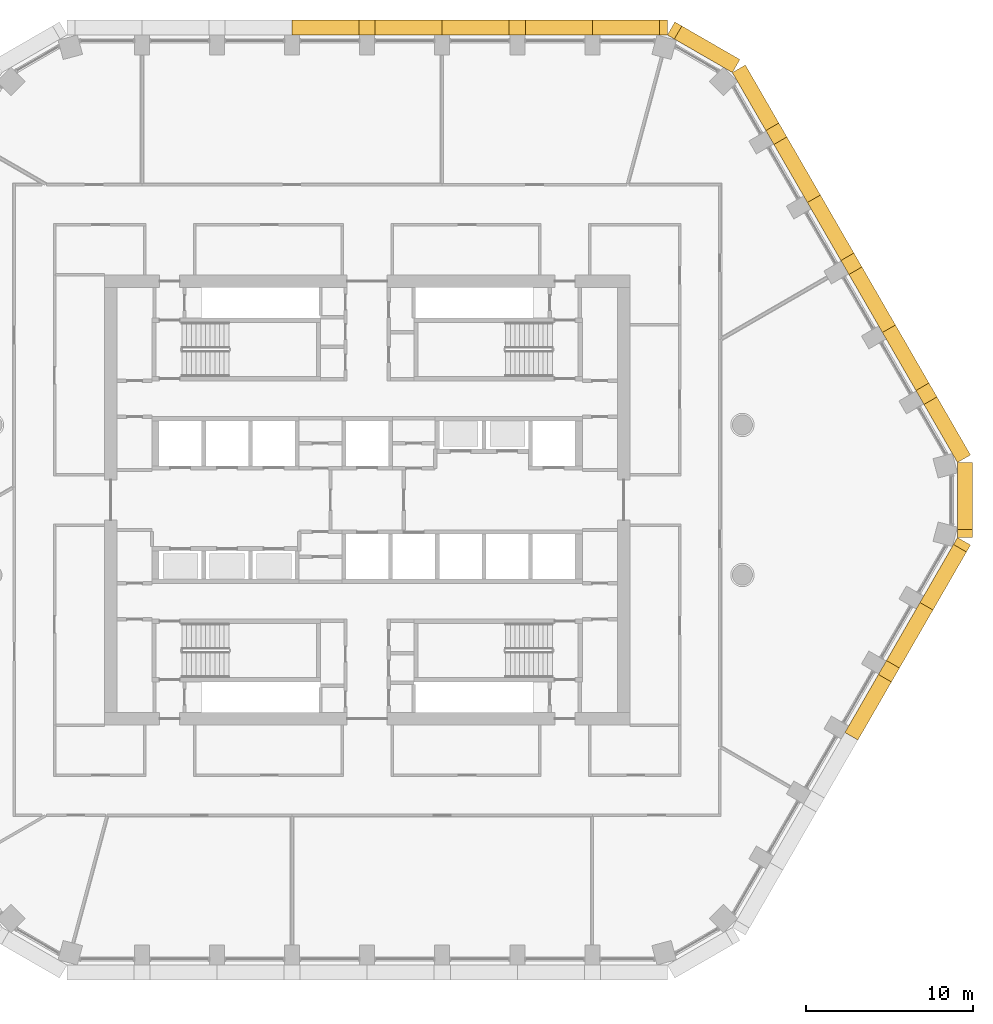
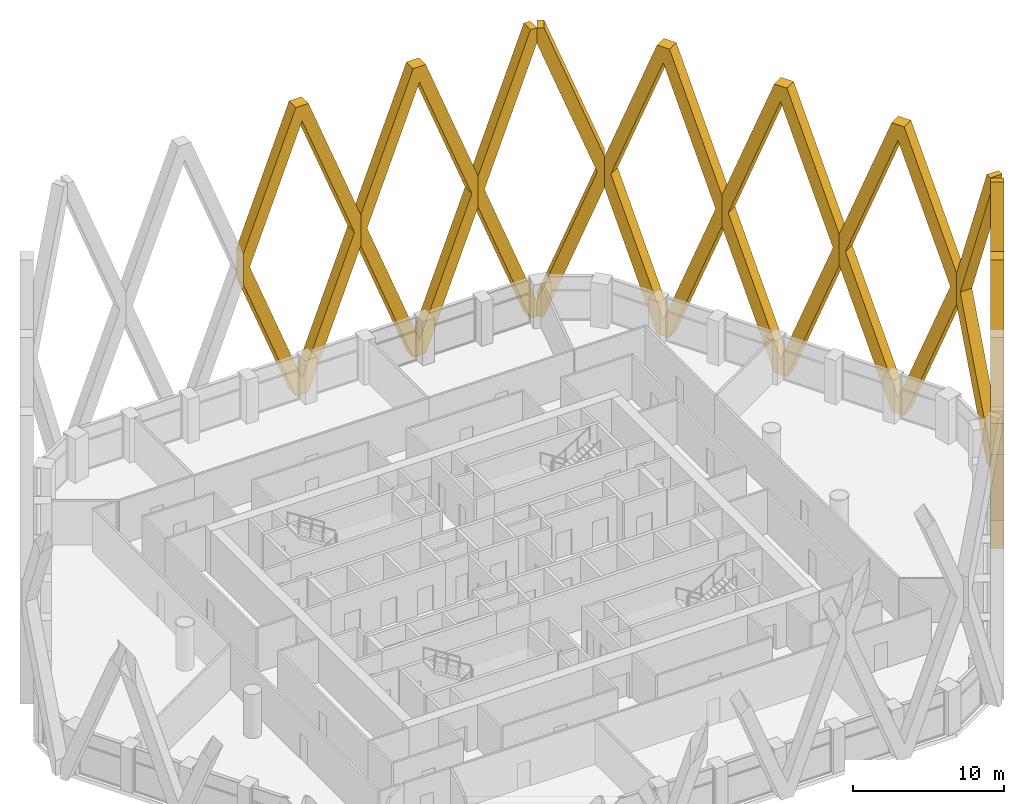
# One storey, part 23 of 24: 10 coverings.
"""IFC4 building model written with IfcOpenShell, lengths in metres."""

from ifc_helpers import new_model, si_unit, direction, frame, origin, place, context, subcontext, project, spatial, polyline, outline, extrude, material, type_object, element, save


model = new_model("IFC4")

# Units and contexts
model_context = context("Model", 3, precision=1e-05, world=origin(), true_north=direction((0.0, 1.0)))
body_context = subcontext(model_context, "Body", "Model", "MODEL_VIEW")
ifc_project = project(units=[si_unit("LENGTHUNIT", "METRE"), si_unit("AREAUNIT", "SQUARE_METRE"), si_unit("VOLUMEUNIT", "CUBIC_METRE"), si_unit("PLANEANGLEUNIT", "RADIAN"), si_unit("MASSUNIT", "GRAM", prefix="KILO")], contexts=[model_context])

# Site, building, storey
site_placement = place(None, origin())
site = spatial("IfcSite", under=ifc_project, at=site_placement, CompositionType="ELEMENT")
building_placement = place(site_placement, origin())
building = spatial("IfcBuilding", under=site, at=building_placement, Name="Dhurran Vertical Campus", CompositionType="ELEMENT")
storey_placement = place(building_placement, frame((0.0, 0.0, 132.60009765625)))
storey = spatial("IfcBuildingStorey", under=building, at=storey_placement, Name="L32", CompositionType="ELEMENT", Elevation=132.60009765625)

# Coverings
ifc_material = material(Name="Precast concrete C50/60", Category="concrete")
covering_type = type_object("IfcCoveringType", Name="Folded precast fin lattice diamond", PredefinedType="USERDEFINED", material=ifc_material)
covering_1_placement = place(storey_placement, frame((28.647216796875, -13.94140625, 0.0), z_axis=(0.866013897511, -0.50001992892, 0.0), x_axis=(0.50001992892, 0.866013897511, 0.0)))
element("IfcCovering", 1, at=covering_1_placement, inside=storey, type_object=covering_type, Name="FN1 L32.008", ObjectType="FIN", PredefinedType="USERDEFINED", context=body_context, shape_type="SweptSolid", body=[
    extrude(outline(polyline([(9.0, 12.95361328125), (9.0, 10.4462890625), (4.982177734375, 0.0), (4.017822265625, 0.0), (0.0, 10.4462890625), (0.0, 12.95361328125), (4.017822265625, 23.39990234375), (4.982177734375, 23.39990234375), (9.0, 12.95361328125)]), holes=[polyline([(8.517822265625, 11.699951171875), (4.5, 22.146484375), (0.482177734375, 11.699951171875), (4.5, 1.253662109375), (8.517822265625, 11.699951171875)])]), origin(), (0.0, 0.0, 1.0), 0.89990234375),
])
covering_2_placement = place(storey_placement, frame((33.147216796875, -6.147216796875, 0.0), z_axis=(0.866013897511, -0.50001992892, 0.0), x_axis=(0.50001992892, 0.866013897511, 0.0)))
element("IfcCovering", 2, at=covering_2_placement, inside=storey, type_object=covering_type, Name="FN1 L32.009", ObjectType="FIN", PredefinedType="USERDEFINED", context=body_context, shape_type="SweptSolid", body=[
    extrude(outline(polyline([(4.017822265625, 0.0), (0.0, 10.4462890625), (0.0, 12.95361328125), (4.017822265625, 23.39990234375), (4.5, 23.39990234375), (4.5, 22.146484375), (0.482177734375, 11.699951171875), (4.5, 1.253662109375), (4.5, 0.0), (4.017822265625, 0.0)])), origin(), (0.0, 0.0, 1.0), 0.89990234375),
])
covering_3_placement = place(storey_placement, frame((35.397216796875, -2.25, 0.0), z_axis=(1.0, 0.0, 0.0), x_axis=(0.0, 1.0, 0.0)))
element("IfcCovering", 3, at=covering_3_placement, inside=storey, type_object=covering_type, Name="FN1 L32.010", ObjectType="FIN", PredefinedType="USERDEFINED", context=body_context, shape_type="SweptSolid", body=[
    extrude(outline(polyline([(4.5, 10.4462890625), (0.482177734375, 0.0), (0.0, 0.0), (0.0, 1.253662109375), (4.017822265625, 11.699951171875), (0.0, 22.146484375), (0.0, 23.39990234375), (0.482177734375, 23.39990234375), (4.5, 12.95361328125), (4.5, 10.4462890625)])), origin(), (0.0, 0.0, 1.0), 0.89990234375),
])
for number, where, z_axis, x_axis, name in (
    (4, (35.397216796875, 2.25, 0.0), (0.866013897511, 0.50001992892, 0.0), (-0.50001992892, 0.866013897511, 0.0), "FN1 L32.011"),
    (5, (30.897216796875, 10.044189453125, 0.0), (0.866013897511, 0.50001992892, 0.0), (-0.50001992892, 0.866013897511, 0.0), "FN1 L32.012"),
    (6, (26.397216796875, 17.83837890625, 0.0), (0.865896406789, 0.500223362819, 0.0), (-0.500223362819, 0.865896406789, 0.0), "FN1 L32.013"),
):
    element("IfcCovering", number, at=place(storey_placement, frame(where, z_axis=z_axis, x_axis=x_axis)), inside=storey, type_object=covering_type, Name=name, ObjectType="FIN", PredefinedType="USERDEFINED", context=body_context, shape_type="SweptSolid", body=[
        extrude(outline(polyline([(9.0, 12.95361328125), (9.0, 10.4462890625), (4.982177734375, 0.0), (4.017822265625, 0.0), (0.0, 10.4462890625), (0.0, 12.95361328125), (4.017822265625, 23.39990234375), (4.982177734375, 23.39990234375), (9.0, 12.95361328125)]), holes=[polyline([(8.517822265625, 11.699951171875), (4.5, 22.146484375), (0.482177734375, 11.699951171875), (4.5, 1.253662109375), (8.517822265625, 11.699951171875)])]), origin(), (0.0, 0.0, 1.0), 0.89990234375),
    ])
covering_4_placement = place(storey_placement, frame((21.897216796875, 25.6328125, 0.0), z_axis=(0.50001992892, 0.866013897511, 0.0), x_axis=(-0.866013897511, 0.50001992892, 0.0)))
element("IfcCovering", 7, at=covering_4_placement, inside=storey, type_object=covering_type, Name="FN1 L32.014", ObjectType="FIN", PredefinedType="USERDEFINED", context=body_context, shape_type="SweptSolid", body=[
    extrude(outline(polyline([(4.017822265625, 0.0), (0.0, 10.4462890625), (0.0, 12.95361328125), (4.017822265625, 23.39990234375), (4.5, 23.39990234375), (4.5, 22.146484375), (0.482177734375, 11.699951171875), (4.5, 1.253662109375), (4.5, 0.0), (4.017822265625, 0.0)])), origin(), (0.0, 0.0, 1.0), 0.89990234375),
])
covering_5_placement = place(storey_placement, frame((18.0, 27.8828125, 0.0), z_axis=(0.0, 1.0, 0.0), x_axis=(-1.0, 0.0, 0.0)))
element("IfcCovering", 8, at=covering_5_placement, inside=storey, type_object=covering_type, Name="FN1 L32.015", ObjectType="FIN", PredefinedType="USERDEFINED", context=body_context, shape_type="SweptSolid", body=[
    extrude(outline(polyline([(4.5, 10.4462890625), (0.482177734375, 0.0), (0.0, 0.0), (0.0, 1.253662109375), (4.017822265625, 11.699951171875), (0.0, 22.146484375), (0.0, 23.39990234375), (0.482177734375, 23.39990234375), (4.5, 12.95361328125), (4.5, 10.4462890625)])), origin(), (0.0, 0.0, 1.0), 0.89990234375),
])
for number, where, z_axis, x_axis, name in (
    (9, (13.5, 27.8828125, 0.0), (0.0, 1.0, 0.0), (-1.0, 0.0, 0.0), "FN1 L32.016"),
    (10, (4.5, 27.8828125, 0.0), (0.0, 1.0, 0.0), (-1.0, 0.0, 0.0), "FN1 L32.017"),
):
    element("IfcCovering", number, at=place(storey_placement, frame(where, z_axis=z_axis, x_axis=x_axis)), inside=storey, type_object=covering_type, Name=name, ObjectType="FIN", PredefinedType="USERDEFINED", context=body_context, shape_type="SweptSolid", body=[
        extrude(outline(polyline([(9.0, 12.95361328125), (9.0, 10.4462890625), (4.982177734375, 0.0), (4.017822265625, 0.0), (0.0, 10.4462890625), (0.0, 12.95361328125), (4.017822265625, 23.39990234375), (4.982177734375, 23.39990234375), (9.0, 12.95361328125)]), holes=[polyline([(8.517822265625, 11.699951171875), (4.5, 22.146484375), (0.482177734375, 11.699951171875), (4.5, 1.253662109375), (8.517822265625, 11.699951171875)])]), origin(), (0.0, 0.0, 1.0), 0.89990234375),
    ])

save(model, "model.ifc")
